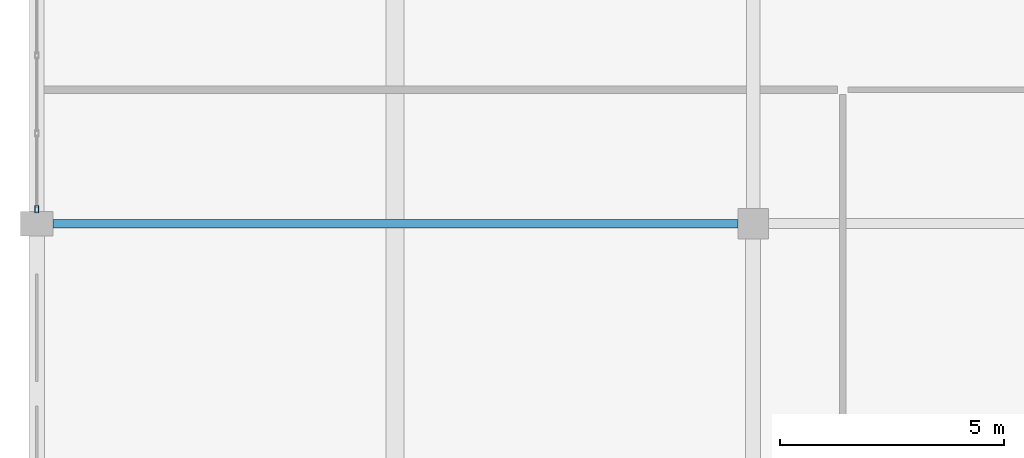
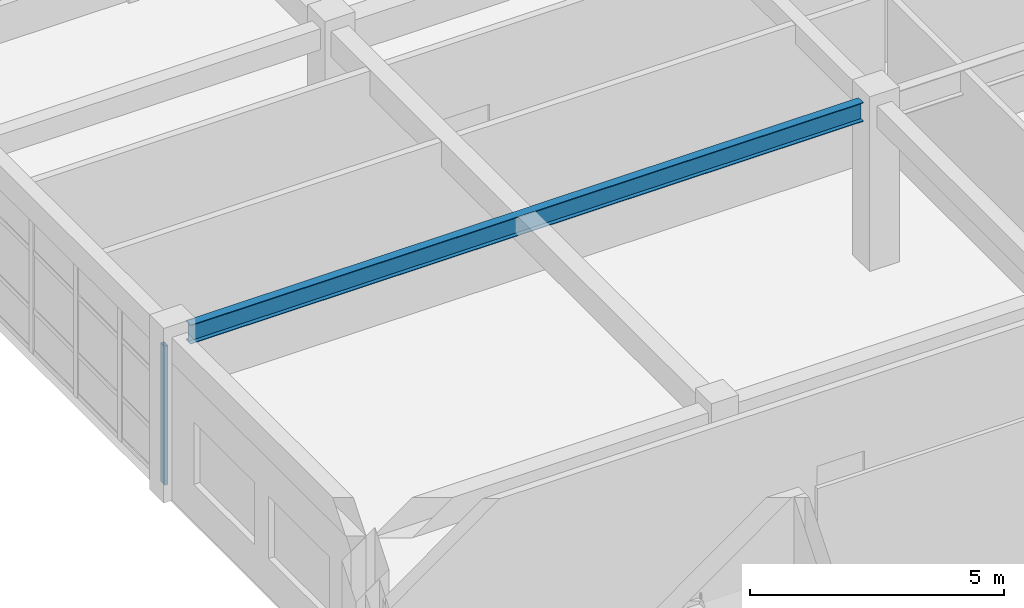
# One storey, part 34 of 195: 1 beam, 1 member, 1 element without a shape of its own.
"""IFC4 building model written with IfcOpenShell, lengths in metres."""

from ifc_helpers import new_model, si_unit, direction, frame, origin, origin_2d, place, context, subcontext, project, spatial, hollow_rectangle, i_section, extrude, material, material_profile, profile_set, type_object, element, aggregate, save


model = new_model("IFC4")

# Units and contexts
model_context = context("Model", 3, precision=1e-05, world=origin(), true_north=direction((0.0, 1.0)))
body_context = subcontext(model_context, "Body", "Model", "MODEL_VIEW")
ifc_project = project(units=[si_unit("LENGTHUNIT", "METRE"), si_unit("AREAUNIT", "SQUARE_METRE"), si_unit("VOLUMEUNIT", "CUBIC_METRE"), si_unit("PLANEANGLEUNIT", "RADIAN"), si_unit("MASSUNIT", "GRAM", prefix="KILO")], contexts=[model_context])

# Site, building, storey
site_placement = place(None, origin())
site = spatial("IfcSite", under=ifc_project, at=site_placement, CompositionType="ELEMENT")
building_placement = place(site_placement, origin())
building = spatial("IfcBuilding", under=site, at=building_placement, Name="Kharva Crest Polytechnic", CompositionType="ELEMENT")
storey_placement = place(building_placement, frame((0.0, 0.0, 9.0)))
storey = spatial("IfcBuildingStorey", under=building, at=storey_placement, Name="L02", CompositionType="ELEMENT", Elevation=9.0)

# Beam
ifc_material_1 = material(Name="Steel S355", Category="steel")
ifc_material_profile_1 = material_profile(ifc_material_1, i_section(OverallWidth=0.19091796875, OverallDepth=0.4599609375, WebThickness=0.010009765625, FlangeThickness=0.01611328125, at=origin_2d()), Name="W460X82")
ifc_profile_set_1 = profile_set([ifc_material_profile_1], Name="Steel S355")
beam_type = type_object("IfcBeamType", Name="BM-STL-W460X82", PredefinedType="BEAM", material=ifc_profile_set_1)
beam_placement = place(storey_placement, frame((0.360107421875, 15.199951171875, 3.68994140625), z_axis=(1.0, 0.0, 0.0), x_axis=(0.0, 1.0, 0.0)))
element("IfcBeam", 1, at=beam_placement, inside=storey, type_object=beam_type, Name="L02 Beam C/1-3", PredefinedType="BEAM", context=body_context, shape_type="SweptSolid", body=[
    extrude(i_section(OverallWidth=0.19091796875, OverallDepth=0.4599609375, WebThickness=0.010009765625, FlangeThickness=0.01611328125, at=origin_2d()), origin(), (0.0, 0.0, 1.0), 15.2998046875),
])

# Curtain wall, member
ifc_material_2 = material(Name="Tempered insulated glass", Category="glass")
curtain_wall_type = type_object("IfcCurtainWallType", Name="CW-SYS-COURT", PredefinedType="USERDEFINED", material=ifc_material_2)
curtain_wall_placement = place(storey_placement, origin())
curtain_wall = element("IfcCurtainWall", 2, at=curtain_wall_placement, inside=storey, type_object=curtain_wall_type, Name="L02 Glazed Curtain Wall CW-091", ObjectType="CURTAIN WALL", PredefinedType="USERDEFINED")
ifc_material_profile_2 = material_profile(ifc_material_1, hollow_rectangle(XDim=0.080078125, YDim=0.159912109375, WallThickness=0.0048828125, at=origin_2d()), Name="RHS 160X80X5.0")
ifc_profile_set_2 = profile_set([ifc_material_profile_2], Name="Steel S355")
member_type = type_object("IfcMemberType", Name="CWM-RHS160X80", PredefinedType="MULLION", material=ifc_profile_set_2)
member_placement = place(storey_placement, frame((0.0, 15.52001953125, 0.0), z_axis=(0.0, 0.0, 1.0), x_axis=(1.0, 0.0, 0.0)))
member = element("IfcMember", 3, at=member_placement, type_object=member_type, Name="CW-091 mullion 5", PredefinedType="MULLION", context=body_context, shape_type="SweptSolid", body=[
    extrude(hollow_rectangle(XDim=0.080078125, YDim=0.159912109375, WallThickness=0.0048828125, at=origin_2d()), origin(), (0.0, 0.0, 1.0), 3.340087890625),
])
aggregate(curtain_wall, [member])

save(model, "model.ifc")
